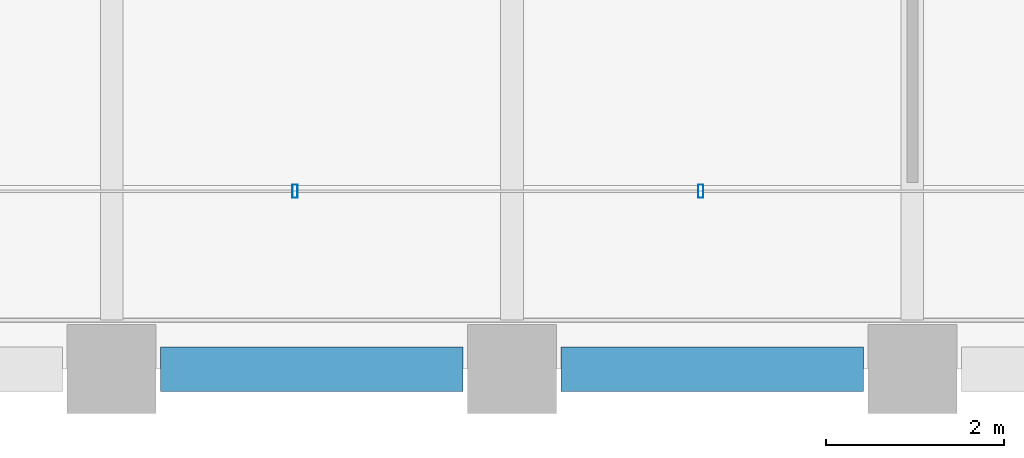
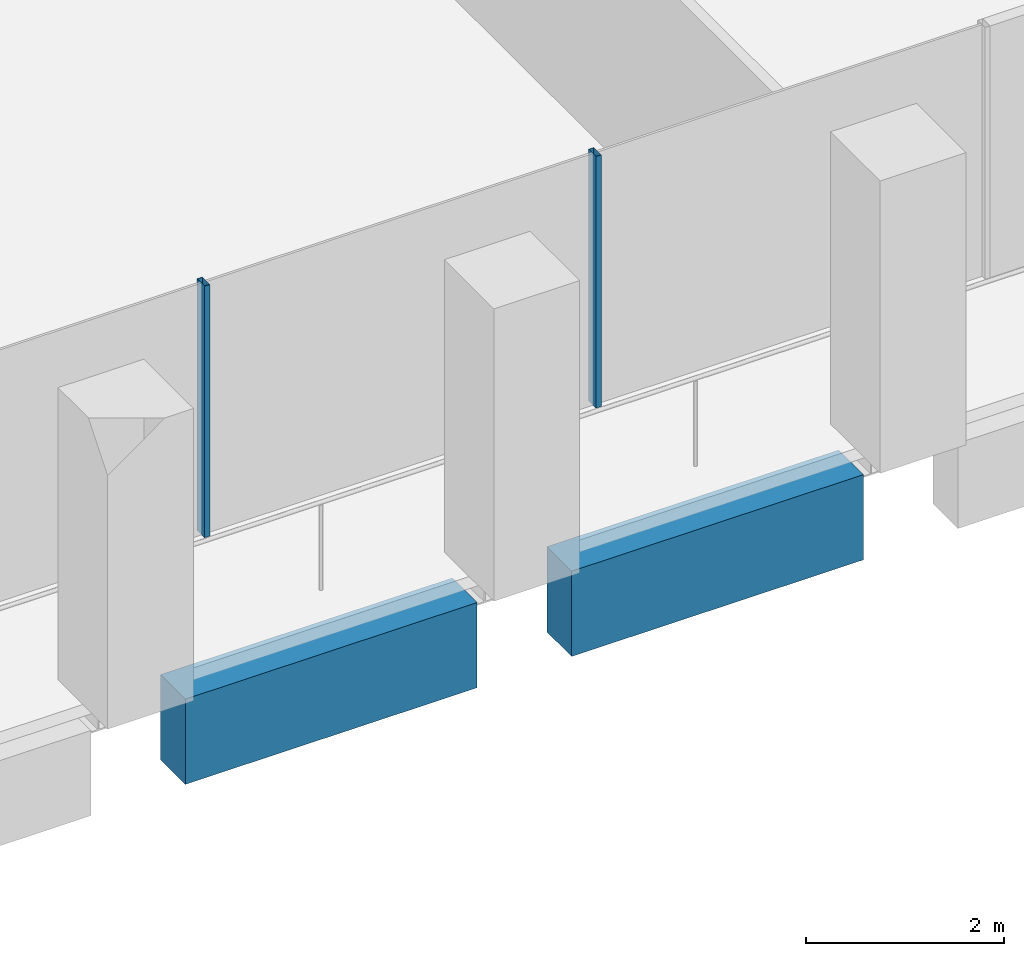
# One storey, part 3 of 52: 2 beams, 2 members, 1 element without a shape of its own.
"""IFC4 building model written with IfcOpenShell, lengths in metres."""

from ifc_helpers import new_model, si_unit, direction, frame, origin, origin_2d, place, context, subcontext, project, spatial, rectangle, hollow_rectangle, extrude, material, material_profile, profile_set, type_object, element, aggregate, save


model = new_model("IFC4")

# Units and contexts
model_context = context("Model", 3, precision=1e-05, world=origin(), true_north=direction((0.0, 1.0)))
body_context = subcontext(model_context, "Body", "Model", "MODEL_VIEW")
ifc_project = project(units=[si_unit("LENGTHUNIT", "METRE"), si_unit("AREAUNIT", "SQUARE_METRE"), si_unit("VOLUMEUNIT", "CUBIC_METRE"), si_unit("PLANEANGLEUNIT", "RADIAN"), si_unit("MASSUNIT", "GRAM", prefix="KILO")], contexts=[model_context])

# Site, building, storey
site_placement = place(None, origin())
site = spatial("IfcSite", under=ifc_project, at=site_placement, CompositionType="ELEMENT")
building_placement = place(site_placement, origin())
building = spatial("IfcBuilding", under=site, at=building_placement, Name="Altepetl Exchange Towers", CompositionType="ELEMENT")
storey_placement = place(building_placement, frame((0.0, 0.0, 92.0)))
storey = spatial("IfcBuildingStorey", under=building, at=storey_placement, Name="L22", CompositionType="ELEMENT", Elevation=92.0)

# Curtain wall, members
ifc_material_1 = material(Name="Aluminium 6063-T6 glazing", Category="aluminium")
curtain_wall_type = type_object("IfcCurtainWallType", Name="Loggia glazing system", PredefinedType="NOTDEFINED", material=ifc_material_1)
curtain_wall_placement = place(storey_placement, origin())
curtain_wall = element("IfcCurtainWall", 1, at=curtain_wall_placement, inside=storey, type_object=curtain_wall_type, Name="CW1 run", PredefinedType="NOTDEFINED")
ifc_material_2 = material(Name="Aluminium 6063-T6", Category="aluminium")
ifc_material_profile_1 = material_profile(ifc_material_2, hollow_rectangle(XDim=0.06005859375, YDim=0.14990234375, WallThickness=0.0029296875, at=origin_2d()), Name="Mullion 60x150 aluminium")
ifc_profile_set_1 = profile_set([ifc_material_profile_1], Name="Aluminium 6063-T6")
member_type = type_object("IfcMemberType", Name="Mullion 60x150 aluminium", PredefinedType="MULLION", material=ifc_profile_set_1)
member_1_placement = place(storey_placement, frame((38.060791015625, 29.0, 0.0)))
member_1 = element("IfcMember", 2, at=member_1_placement, type_object=member_type, Name="MU1 mullion", PredefinedType="MULLION", context=body_context, shape_type="SweptSolid", body=[
    extrude(hollow_rectangle(XDim=0.06005859375, YDim=0.14990234375, WallThickness=0.0029296875, at=origin_2d()), origin(), (0.0, 0.0, 1.0), 3.10009765625),
])
member_2_placement = place(storey_placement, frame((42.621337890625, 29.0, 0.0)))
member_2 = element("IfcMember", 3, at=member_2_placement, type_object=member_type, Name="MU1 mullion", PredefinedType="MULLION", context=body_context, shape_type="SweptSolid", body=[
    extrude(hollow_rectangle(XDim=0.06005859375, YDim=0.14990234375, WallThickness=0.0029296875, at=origin_2d()), origin(), (0.0, 0.0, 1.0), 3.10009765625),
])
aggregate(curtain_wall, [member_1, member_2])

# Beams
ifc_material_3 = material(Name="Concrete C50/60 precast with cantera blanca facing", Category="concrete")
ifc_material_profile_2 = material_profile(ifc_material_3, rectangle(XDim=0.5, YDim=1.050048828125, at=origin_2d()), Name="500 x 1050")
ifc_profile_set_2 = profile_set([ifc_material_profile_2], Name="Concrete C50/60 precast with cantera blanca facing")
beam_type = type_object("IfcBeamType", Name="Spandrel beam 500x1050 cantera blanca", PredefinedType="SPANDREL", material=ifc_profile_set_2)
for number, where, z_axis, x_axis, name in (
    (4, (36.550048828125, 27.0, -0.675048828125), (1.0, 0.0, 0.0), (0.0, 1.0, 0.0), "sp:A:L22:001"),
    (5, (41.050048828125, 27.0, -0.675048828125), (1.0, 0.0, 0.0), (0.0, 1.0, 0.0), "sp:A:L22:002"),
):
    element("IfcBeam", number, at=place(storey_placement, frame(where, z_axis=z_axis, x_axis=x_axis)), inside=storey, type_object=beam_type, Name=name, PredefinedType="SPANDREL", context=body_context, shape_type="SweptSolid", body=[
        extrude(rectangle(XDim=0.5, YDim=1.050048828125, at=origin_2d()), origin(), (0.0, 0.0, 1.0), 3.39990234375),
    ])

save(model, "model.ifc")
